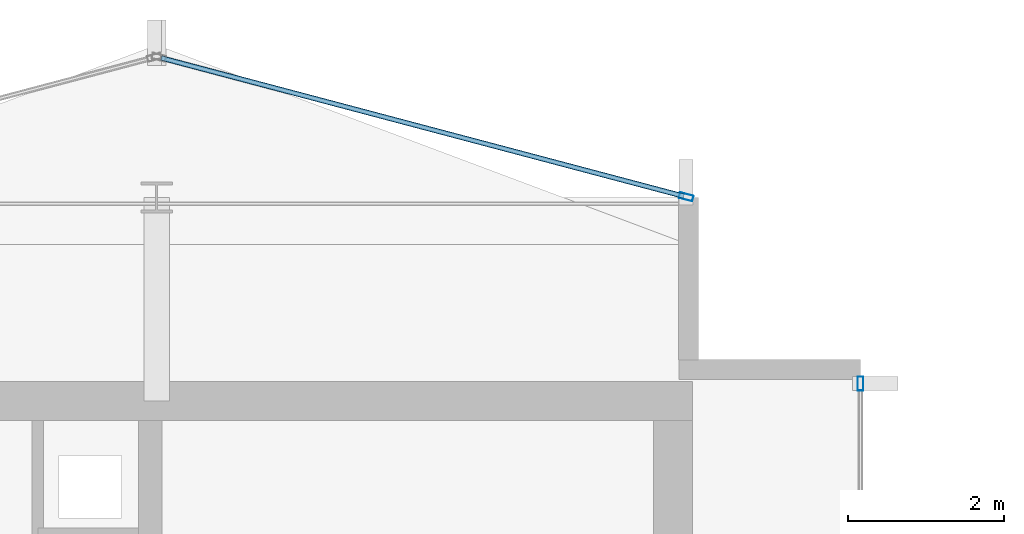
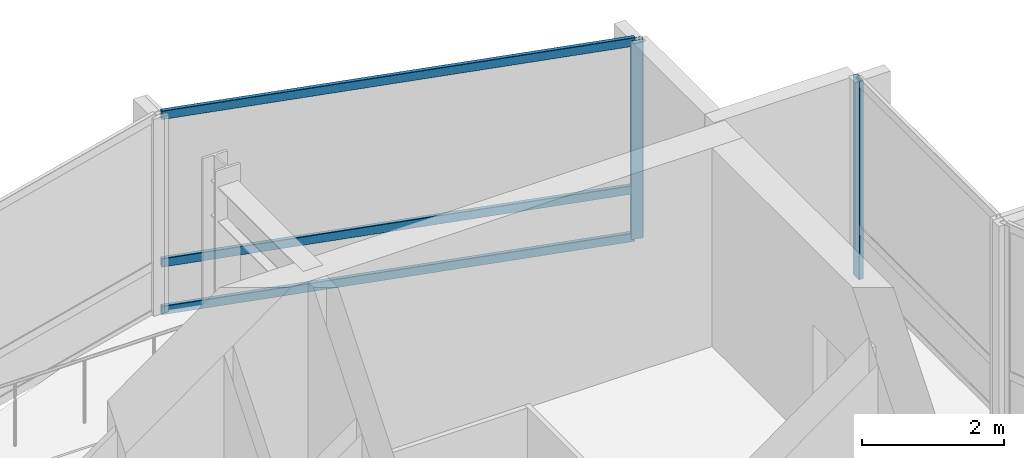
# One storey, part 18 of 28: 5 members, 2 elements without a shape of their own.
"""IFC4 building model written with IfcOpenShell, lengths in metres."""

from ifc_helpers import new_model, si_unit, direction, frame, origin, origin_2d, place, context, subcontext, project, spatial, hollow_rectangle, extrude, material, layer, layer_set, material_profile, profile_set, type_object, element, aggregate, save


model = new_model("IFC4")

# Units and contexts
model_context = context("Model", 3, precision=1e-05, world=origin(), true_north=direction((0.0, 1.0)))
body_context = subcontext(model_context, "Body", "Model", "MODEL_VIEW")
ifc_project = project(units=[si_unit("LENGTHUNIT", "METRE"), si_unit("AREAUNIT", "SQUARE_METRE"), si_unit("VOLUMEUNIT", "CUBIC_METRE"), si_unit("PLANEANGLEUNIT", "RADIAN"), si_unit("MASSUNIT", "GRAM", prefix="KILO")], contexts=[model_context])

# Site, building, storey
site_placement = place(None, origin())
site = spatial("IfcSite", under=ifc_project, at=site_placement, CompositionType="ELEMENT")
building_placement = place(site_placement, origin())
building = spatial("IfcBuilding", under=site, at=building_placement, Name="Solvaryn Broadcast Tower", CompositionType="ELEMENT")
storey_placement = place(building_placement, frame((0.0, 0.0, 213.60009765625)))
storey = spatial("IfcBuildingStorey", under=building, at=storey_placement, Name="L53", CompositionType="ELEMENT", Elevation=213.60009765625)

# Curtain wall, member
ifc_material_1 = material(Name="Aluminium and Terracotta Unitised Curtain Wall", Category="masonry")
ifc_layer = layer(ifc_material_1, 0.199951171875)
ifc_layer_set = layer_set([ifc_layer], Name="CW-SYS2-LOWMID")
curtain_wall_type = type_object("IfcCurtainWallType", Name="CW-SYS2-LOWMID", PredefinedType="NOTDEFINED", material=ifc_layer_set)
curtain_wall_1_placement = place(storey_placement, origin())
curtain_wall_1 = element("IfcCurtainWall", 1, at=curtain_wall_1_placement, inside=storey, type_object=curtain_wall_type, Name="L53 Curtain Wall IV", PredefinedType="NOTDEFINED")
ifc_material_2 = material(Name="Anodised Aluminium 6063-T6", Category="aluminium")
ifc_material_profile_1 = material_profile(ifc_material_2, hollow_rectangle(XDim=0.074951171875, YDim=0.179931640625, WallThickness=0.00390625, InnerFilletRadius=0.00390625, OuterFilletRadius=0.008056640625, at=origin_2d()))
ifc_profile_set_1 = profile_set([ifc_material_profile_1], Name="Anodised Aluminium 6063-T6")
member_type_1 = type_object("IfcMemberType", Name="CW-MUL-180", PredefinedType="MULLION", material=ifc_profile_set_1)
member_1_placement = place(storey_placement, frame((27.0, 42.6201171875, 0.0), z_axis=(0.0, 0.0, 1.0), x_axis=(1.0, 0.0, 0.0)))
member_1 = element("IfcMember", 2, at=member_1_placement, type_object=member_type_1, Name="CWS2 mullion 1", PredefinedType="MULLION", context=body_context, shape_type="SweptSolid", body=[
    extrude(hollow_rectangle(XDim=0.074951171875, YDim=0.179931640625, WallThickness=0.00390625, InnerFilletRadius=0.00390625, OuterFilletRadius=0.008056640625, at=origin_2d()), origin(), (0.0, 0.0, 1.0), 3.419921875),
])
aggregate(curtain_wall_1, [member_1])

# Curtain wall, members
curtain_wall_2_placement = place(storey_placement, origin())
curtain_wall_2 = element("IfcCurtainWall", 3, at=curtain_wall_2_placement, inside=storey, type_object=curtain_wall_type, Name="L53 Curtain Wall NT1", PredefinedType="NOTDEFINED")
member_2_placement = place(storey_placement, frame((24.77099609375, 45.007568359375, 0.0), z_axis=(0.0, 0.0, 1.0), x_axis=(-0.25589256031, -0.966705227863, 0.0)))
member_2 = element("IfcMember", 4, at=member_2_placement, type_object=member_type_1, Name="CWS2 mullion 1", PredefinedType="MULLION", context=body_context, shape_type="SweptSolid", body=[
    extrude(hollow_rectangle(XDim=0.074951171875, YDim=0.179931640625, WallThickness=0.00390625, InnerFilletRadius=0.00390625, OuterFilletRadius=0.008056640625, at=origin_2d()), origin(), (0.0, 0.0, 1.0), 3.419921875),
])
ifc_material_3 = material(Name="Anodised Aluminium 6063-T6", Category="aluminium")
ifc_material_profile_2 = material_profile(ifc_material_3, hollow_rectangle(XDim=0.06494140625, YDim=0.14990234375, WallThickness=0.00390625, InnerFilletRadius=0.00390625, OuterFilletRadius=0.008056640625, at=origin_2d()))
ifc_profile_set_2 = profile_set([ifc_material_profile_2], Name="Anodised Aluminium 6063-T6")
member_type_2 = type_object("IfcMemberType", Name="CW-TRN-150", PredefinedType="USERDEFINED", material=ifc_profile_set_2)
member_3_placement = place(storey_placement, frame((24.741943359375, 45.015380859375, 0.02978515625), z_axis=(-0.966703943301, 0.255897413051, 0.0), x_axis=(-0.255897413051, -0.966703943301, 0.0)))
member_3 = element("IfcMember", 5, at=member_3_placement, type_object=member_type_2, Name="CWS2 transom 1.1", ObjectType="TRANSOM", PredefinedType="USERDEFINED", context=body_context, shape_type="SweptSolid", body=[
    extrude(hollow_rectangle(XDim=0.06494140625, YDim=0.14990234375, WallThickness=0.00390625, InnerFilletRadius=0.00390625, OuterFilletRadius=0.008056640625, at=origin_2d()), origin(), (0.0, 0.0, 1.0), 6.9140625),
])
member_4_placement = place(storey_placement, frame((24.741943359375, 45.015380859375, 0.849853515625), z_axis=(-0.966703943301, 0.255897413051, 0.0), x_axis=(-0.255897413051, -0.966703943301, 0.0)))
member_4 = element("IfcMember", 6, at=member_4_placement, type_object=member_type_2, Name="CWS2 transom 1.2", ObjectType="TRANSOM", PredefinedType="USERDEFINED", context=body_context, shape_type="SweptSolid", body=[
    extrude(hollow_rectangle(XDim=0.06494140625, YDim=0.14990234375, WallThickness=0.00390625, InnerFilletRadius=0.00390625, OuterFilletRadius=0.008056640625, at=origin_2d()), origin(), (0.0, 0.0, 1.0), 6.9140625),
])
member_5_placement = place(storey_placement, frame((24.741943359375, 45.015380859375, 3.389892578125), z_axis=(-0.966703943301, 0.255897413051, 0.0), x_axis=(-0.255897413051, -0.966703943301, 0.0)))
member_5 = element("IfcMember", 7, at=member_5_placement, type_object=member_type_2, Name="CWS2 transom 1.3", ObjectType="TRANSOM", PredefinedType="USERDEFINED", context=body_context, shape_type="SweptSolid", body=[
    extrude(hollow_rectangle(XDim=0.06494140625, YDim=0.14990234375, WallThickness=0.00390625, InnerFilletRadius=0.00390625, OuterFilletRadius=0.008056640625, at=origin_2d()), origin(), (0.0, 0.0, 1.0), 6.9140625),
])
aggregate(curtain_wall_2, [member_2, member_3, member_4, member_5])

save(model, "model.ifc")
